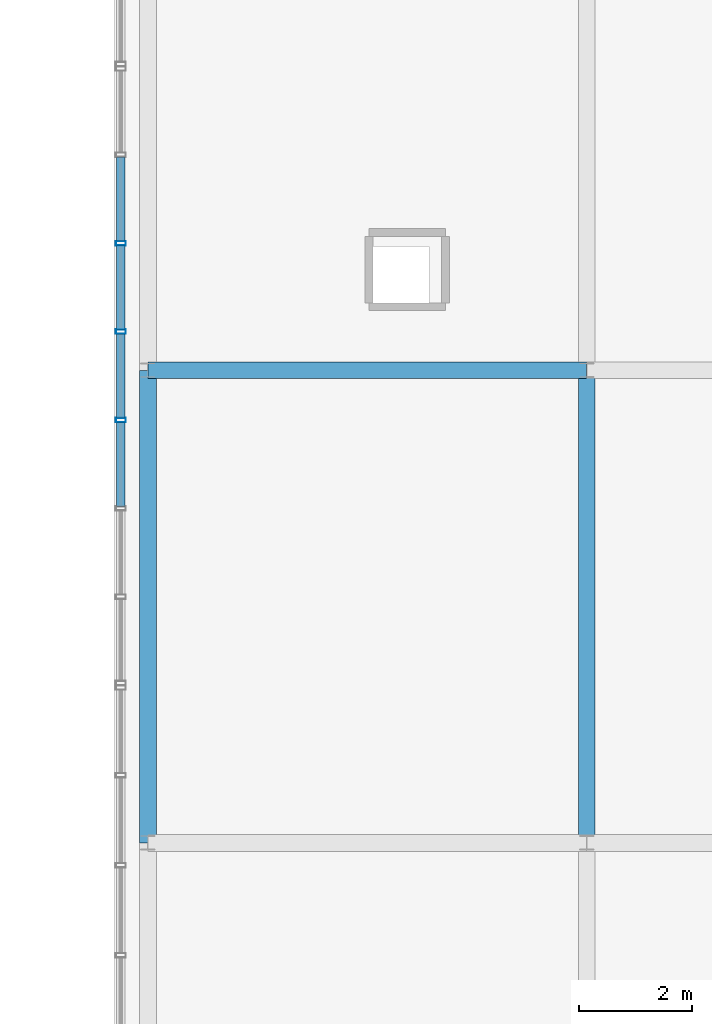
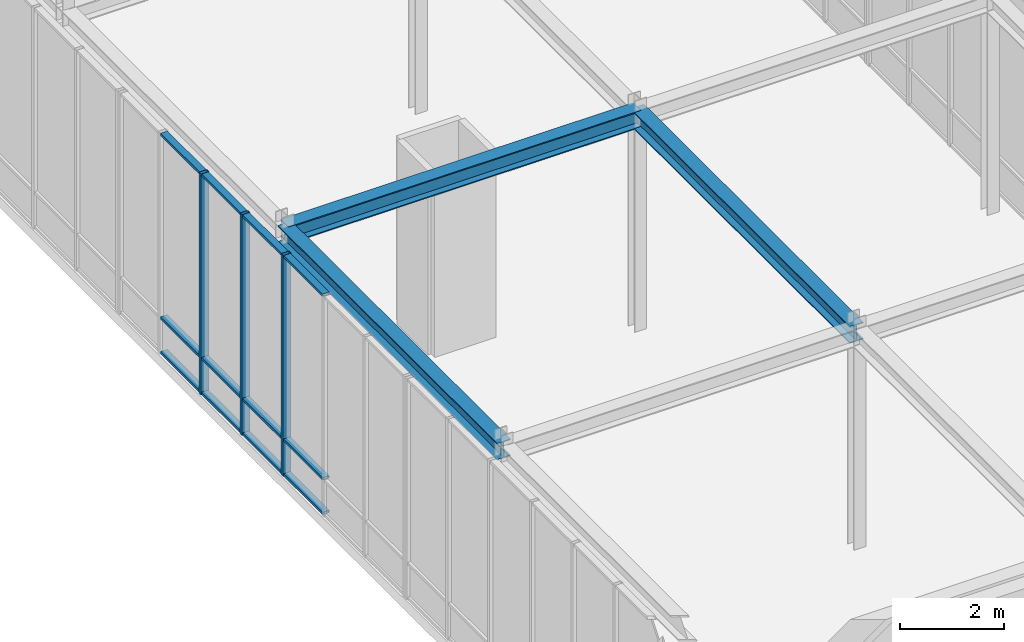
# One storey, part 23 of 139: 15 members, 3 beams, 1 element without a shape of its own.
"""IFC4 building model written with IfcOpenShell, lengths in metres."""

from ifc_helpers import new_model, si_unit, direction, frame, origin, origin_2d, place, context, subcontext, project, spatial, hollow_rectangle, i_section, extrude, material, layer, layer_set, material_profile, profile_set, type_object, element, aggregate, save


model = new_model("IFC4")

# Units and contexts
model_context = context("Model", 3, precision=1e-05, world=origin(), true_north=direction((0.0, 1.0)))
body_context = subcontext(model_context, "Body", "Model", "MODEL_VIEW")
ifc_project = project(units=[si_unit("LENGTHUNIT", "METRE"), si_unit("AREAUNIT", "SQUARE_METRE"), si_unit("VOLUMEUNIT", "CUBIC_METRE"), si_unit("PLANEANGLEUNIT", "RADIAN"), si_unit("MASSUNIT", "GRAM", prefix="KILO")], contexts=[model_context])

# Site, building, storey
site_placement = place(None, origin())
site = spatial("IfcSite", under=ifc_project, at=site_placement, CompositionType="ELEMENT")
building_placement = place(site_placement, origin())
building = spatial("IfcBuilding", under=site, at=building_placement, Name="Zayran Congress Hotel", CompositionType="ELEMENT")
storey_placement = place(building_placement, frame((0.0, 0.0, 5.39990234375)))
storey = spatial("IfcBuildingStorey", under=building, at=storey_placement, Name="L01", CompositionType="ELEMENT", Elevation=5.39990234375)

# Beams
ifc_material_1 = material(Name="Steel S355", Category="steel")
ifc_material_profile_1 = material_profile(ifc_material_1, i_section(OverallWidth=0.300048828125, OverallDepth=0.39990234375, WebThickness=0.013427734375, FlangeThickness=0.02392578125, at=origin_2d()), Name="HEB 400")
ifc_profile_set_1 = profile_set([ifc_material_profile_1], Name="Steel S355")
beam_type = type_object("IfcBeamType", Name="TP-BM-10", PredefinedType="BEAM", material=ifc_profile_set_1)
beam_placement = place(storey_placement, frame((76.199951171875, 50.800048828125, 4.960205078125), z_axis=(1.0, 0.0, 0.0), x_axis=(0.0, 1.0, 0.0)))
element("IfcBeam", 1, at=beam_placement, inside=storey, type_object=beam_type, Name="BM-BR2-L01-2460", PredefinedType="BEAM", context=body_context, shape_type="SweptSolid", body=[
    extrude(i_section(OverallWidth=0.300048828125, OverallDepth=0.39990234375, WebThickness=0.013427734375, FlangeThickness=0.02392578125, at=origin_2d()), origin(), (0.0, 0.0, 1.0), 7.800048828125),
])
for number, where, z_axis, x_axis, name in (
    (2, (76.199951171875, 42.39990234375, 4.960205078125), (0.0, 1.0, 0.0), (-1.0, 0.0, 0.0), "BM-BR2Y-L01-2465"),
    (3, (84.0, 42.39990234375, 4.960205078125), (0.0, 1.0, 0.0), (-1.0, 0.0, 0.0), "BM-BR2Y-L01-2469"),
):
    element("IfcBeam", number, at=place(storey_placement, frame(where, z_axis=z_axis, x_axis=x_axis)), inside=storey, type_object=beam_type, Name=name, PredefinedType="BEAM", context=body_context, shape_type="SweptSolid", body=[
        extrude(i_section(OverallWidth=0.300048828125, OverallDepth=0.39990234375, WebThickness=0.013427734375, FlangeThickness=0.02392578125, at=origin_2d()), origin(), (0.0, 0.0, 1.0), 8.400146484375),
    ])

# Curtain wall, members
ifc_material_2 = material(Name="Anodised aluminium and low-E insulated glass", Category="aluminium")
ifc_layer = layer(ifc_material_2, 0.179931640625)
ifc_layer_set = layer_set([ifc_layer], Name="Anodised aluminium and low-E insulated glass")
curtain_wall_type = type_object("IfcCurtainWallType", Name="CW-BR2-L01-CW-BR2-11000-5160", PredefinedType="USERDEFINED", material=ifc_layer_set)
curtain_wall_placement = place(storey_placement, origin())
curtain_wall = element("IfcCurtainWall", 4, at=curtain_wall_placement, inside=storey, type_object=curtain_wall_type, Name="CW-BR2W-L01-1", ObjectType="CURTAIN WALL", PredefinedType="USERDEFINED")
ifc_material_3 = material(Name="Anodised aluminium framing", Category="aluminium")
ifc_material_profile_2 = material_profile(ifc_material_3, hollow_rectangle(XDim=0.080078125, YDim=0.179931640625, WallThickness=0.0048828125, at=origin_2d()), Name="RHS 180x80x5")
ifc_profile_set_2 = profile_set([ifc_material_profile_2], Name="Anodised aluminium framing")
member_type_1 = type_object("IfcMemberType", Name="TP-CWM-01", PredefinedType="MULLION", material=ifc_profile_set_2)
member_1_placement = place(storey_placement, frame((75.719970703125, 53.05712890625, 0.0), z_axis=(0.0, 0.0, 1.0), x_axis=(0.0, 1.0, 0.0)))
member_1 = element("IfcMember", 5, at=member_1_placement, type_object=member_type_1, Name="CW-BR2W-L01-1-M02", PredefinedType="MULLION", context=body_context, shape_type="SweptSolid", body=[
    extrude(hollow_rectangle(XDim=0.080078125, YDim=0.179931640625, WallThickness=0.0048828125, at=origin_2d()), origin(), (0.0, 0.0, 1.0), 5.16015625),
])
member_2_placement = place(storey_placement, frame((75.719970703125, 51.485595703125, 0.0), z_axis=(0.0, 0.0, 1.0), x_axis=(0.0, 1.0, 0.0)))
member_2 = element("IfcMember", 6, at=member_2_placement, type_object=member_type_1, Name="CW-BR2W-L01-1-M03", PredefinedType="MULLION", context=body_context, shape_type="SweptSolid", body=[
    extrude(hollow_rectangle(XDim=0.080078125, YDim=0.179931640625, WallThickness=0.0048828125, at=origin_2d()), origin(), (0.0, 0.0, 1.0), 5.16015625),
])
member_3_placement = place(storey_placement, frame((75.719970703125, 49.914306640625, 0.0), z_axis=(0.0, 0.0, 1.0), x_axis=(0.0, 1.0, 0.0)))
member_3 = element("IfcMember", 7, at=member_3_placement, type_object=member_type_1, Name="CW-BR2W-L01-1-M04", PredefinedType="MULLION", context=body_context, shape_type="SweptSolid", body=[
    extrude(hollow_rectangle(XDim=0.080078125, YDim=0.179931640625, WallThickness=0.0048828125, at=origin_2d()), origin(), (0.0, 0.0, 1.0), 5.16015625),
])
ifc_material_profile_3 = material_profile(ifc_material_3, hollow_rectangle(XDim=0.06005859375, YDim=0.14990234375, WallThickness=0.00390625, at=origin_2d()), Name="RHS 150x60x4")
ifc_profile_set_3 = profile_set([ifc_material_profile_3], Name="Anodised aluminium framing")
member_type_2 = type_object("IfcMemberType", Name="TP-CWT-01", PredefinedType="USERDEFINED", material=ifc_profile_set_3)
member_4_placement = place(storey_placement, frame((75.719970703125, 54.588623046875, 0.030029296875), z_axis=(0.0, -1.0, 0.0), x_axis=(0.0, 0.0, 1.0)))
member_4 = element("IfcMember", 8, at=member_4_placement, type_object=member_type_2, Name="CW-BR2W-L01-1-T01-0", ObjectType="TRANSOM", PredefinedType="USERDEFINED", context=body_context, shape_type="SweptSolid", body=[
    extrude(hollow_rectangle(XDim=0.06005859375, YDim=0.14990234375, WallThickness=0.00390625, at=origin_2d()), origin(), (0.0, 0.0, 1.0), 1.491455078125),
])
member_5_placement = place(storey_placement, frame((75.719970703125, 54.588623046875, 0.840087890625), z_axis=(0.0, -1.0, 0.0), x_axis=(0.0, 0.0, 1.0)))
member_5 = element("IfcMember", 9, at=member_5_placement, type_object=member_type_2, Name="CW-BR2W-L01-1-T01-1", ObjectType="TRANSOM", PredefinedType="USERDEFINED", context=body_context, shape_type="SweptSolid", body=[
    extrude(hollow_rectangle(XDim=0.06005859375, YDim=0.14990234375, WallThickness=0.00390625, at=origin_2d()), origin(), (0.0, 0.0, 1.0), 1.491455078125),
])
member_6_placement = place(storey_placement, frame((75.719970703125, 54.588623046875, 5.130126953125), z_axis=(0.0, -1.0, 0.0), x_axis=(0.0, 0.0, 1.0)))
member_6 = element("IfcMember", 10, at=member_6_placement, type_object=member_type_2, Name="CW-BR2W-L01-1-T01-2", ObjectType="TRANSOM", PredefinedType="USERDEFINED", context=body_context, shape_type="SweptSolid", body=[
    extrude(hollow_rectangle(XDim=0.06005859375, YDim=0.14990234375, WallThickness=0.00390625, at=origin_2d()), origin(), (0.0, 0.0, 1.0), 1.491455078125),
])
member_7_placement = place(storey_placement, frame((75.719970703125, 53.01708984375, 0.030029296875), z_axis=(0.0, -1.0, 0.0), x_axis=(0.0, 0.0, 1.0)))
member_7 = element("IfcMember", 11, at=member_7_placement, type_object=member_type_2, Name="CW-BR2W-L01-1-T02-0", ObjectType="TRANSOM", PredefinedType="USERDEFINED", context=body_context, shape_type="SweptSolid", body=[
    extrude(hollow_rectangle(XDim=0.06005859375, YDim=0.14990234375, WallThickness=0.00390625, at=origin_2d()), origin(), (0.0, 0.0, 1.0), 1.491455078125),
])
member_8_placement = place(storey_placement, frame((75.719970703125, 53.01708984375, 0.840087890625), z_axis=(0.0, -1.0, 0.0), x_axis=(0.0, 0.0, 1.0)))
member_8 = element("IfcMember", 12, at=member_8_placement, type_object=member_type_2, Name="CW-BR2W-L01-1-T02-1", ObjectType="TRANSOM", PredefinedType="USERDEFINED", context=body_context, shape_type="SweptSolid", body=[
    extrude(hollow_rectangle(XDim=0.06005859375, YDim=0.14990234375, WallThickness=0.00390625, at=origin_2d()), origin(), (0.0, 0.0, 1.0), 1.491455078125),
])
member_9_placement = place(storey_placement, frame((75.719970703125, 53.01708984375, 5.130126953125), z_axis=(0.0, -1.0, 0.0), x_axis=(0.0, 0.0, 1.0)))
member_9 = element("IfcMember", 13, at=member_9_placement, type_object=member_type_2, Name="CW-BR2W-L01-1-T02-2", ObjectType="TRANSOM", PredefinedType="USERDEFINED", context=body_context, shape_type="SweptSolid", body=[
    extrude(hollow_rectangle(XDim=0.06005859375, YDim=0.14990234375, WallThickness=0.00390625, at=origin_2d()), origin(), (0.0, 0.0, 1.0), 1.491455078125),
])
member_10_placement = place(storey_placement, frame((75.719970703125, 51.44580078125, 0.030029296875), z_axis=(0.0, -1.0, 0.0), x_axis=(0.0, 0.0, 1.0)))
member_10 = element("IfcMember", 14, at=member_10_placement, type_object=member_type_2, Name="CW-BR2W-L01-1-T03-0", ObjectType="TRANSOM", PredefinedType="USERDEFINED", context=body_context, shape_type="SweptSolid", body=[
    extrude(hollow_rectangle(XDim=0.06005859375, YDim=0.14990234375, WallThickness=0.00390625, at=origin_2d()), origin(), (0.0, 0.0, 1.0), 1.491455078125),
])
member_11_placement = place(storey_placement, frame((75.719970703125, 51.44580078125, 0.840087890625), z_axis=(0.0, -1.0, 0.0), x_axis=(0.0, 0.0, 1.0)))
member_11 = element("IfcMember", 15, at=member_11_placement, type_object=member_type_2, Name="CW-BR2W-L01-1-T03-1", ObjectType="TRANSOM", PredefinedType="USERDEFINED", context=body_context, shape_type="SweptSolid", body=[
    extrude(hollow_rectangle(XDim=0.06005859375, YDim=0.14990234375, WallThickness=0.00390625, at=origin_2d()), origin(), (0.0, 0.0, 1.0), 1.491455078125),
])
member_12_placement = place(storey_placement, frame((75.719970703125, 51.44580078125, 5.130126953125), z_axis=(0.0, -1.0, 0.0), x_axis=(0.0, 0.0, 1.0)))
member_12 = element("IfcMember", 16, at=member_12_placement, type_object=member_type_2, Name="CW-BR2W-L01-1-T03-2", ObjectType="TRANSOM", PredefinedType="USERDEFINED", context=body_context, shape_type="SweptSolid", body=[
    extrude(hollow_rectangle(XDim=0.06005859375, YDim=0.14990234375, WallThickness=0.00390625, at=origin_2d()), origin(), (0.0, 0.0, 1.0), 1.491455078125),
])
member_13_placement = place(storey_placement, frame((75.719970703125, 49.874267578125, 0.030029296875), z_axis=(0.0, -1.0, 0.0), x_axis=(0.0, 0.0, 1.0)))
member_13 = element("IfcMember", 17, at=member_13_placement, type_object=member_type_2, Name="CW-BR2W-L01-1-T04-0", ObjectType="TRANSOM", PredefinedType="USERDEFINED", context=body_context, shape_type="SweptSolid", body=[
    extrude(hollow_rectangle(XDim=0.06005859375, YDim=0.14990234375, WallThickness=0.00390625, at=origin_2d()), origin(), (0.0, 0.0, 1.0), 1.491455078125),
])
member_14_placement = place(storey_placement, frame((75.719970703125, 49.874267578125, 0.840087890625), z_axis=(0.0, -1.0, 0.0), x_axis=(0.0, 0.0, 1.0)))
member_14 = element("IfcMember", 18, at=member_14_placement, type_object=member_type_2, Name="CW-BR2W-L01-1-T04-1", ObjectType="TRANSOM", PredefinedType="USERDEFINED", context=body_context, shape_type="SweptSolid", body=[
    extrude(hollow_rectangle(XDim=0.06005859375, YDim=0.14990234375, WallThickness=0.00390625, at=origin_2d()), origin(), (0.0, 0.0, 1.0), 1.491455078125),
])
member_15_placement = place(storey_placement, frame((75.719970703125, 49.874267578125, 5.130126953125), z_axis=(0.0, -1.0, 0.0), x_axis=(0.0, 0.0, 1.0)))
member_15 = element("IfcMember", 19, at=member_15_placement, type_object=member_type_2, Name="CW-BR2W-L01-1-T04-2", ObjectType="TRANSOM", PredefinedType="USERDEFINED", context=body_context, shape_type="SweptSolid", body=[
    extrude(hollow_rectangle(XDim=0.06005859375, YDim=0.14990234375, WallThickness=0.00390625, at=origin_2d()), origin(), (0.0, 0.0, 1.0), 1.491455078125),
])
aggregate(curtain_wall, [member_1, member_2, member_3, member_4, member_5, member_6, member_7, member_8, member_9, member_10, member_11, member_12, member_13, member_14, member_15])

save(model, "model.ifc")
